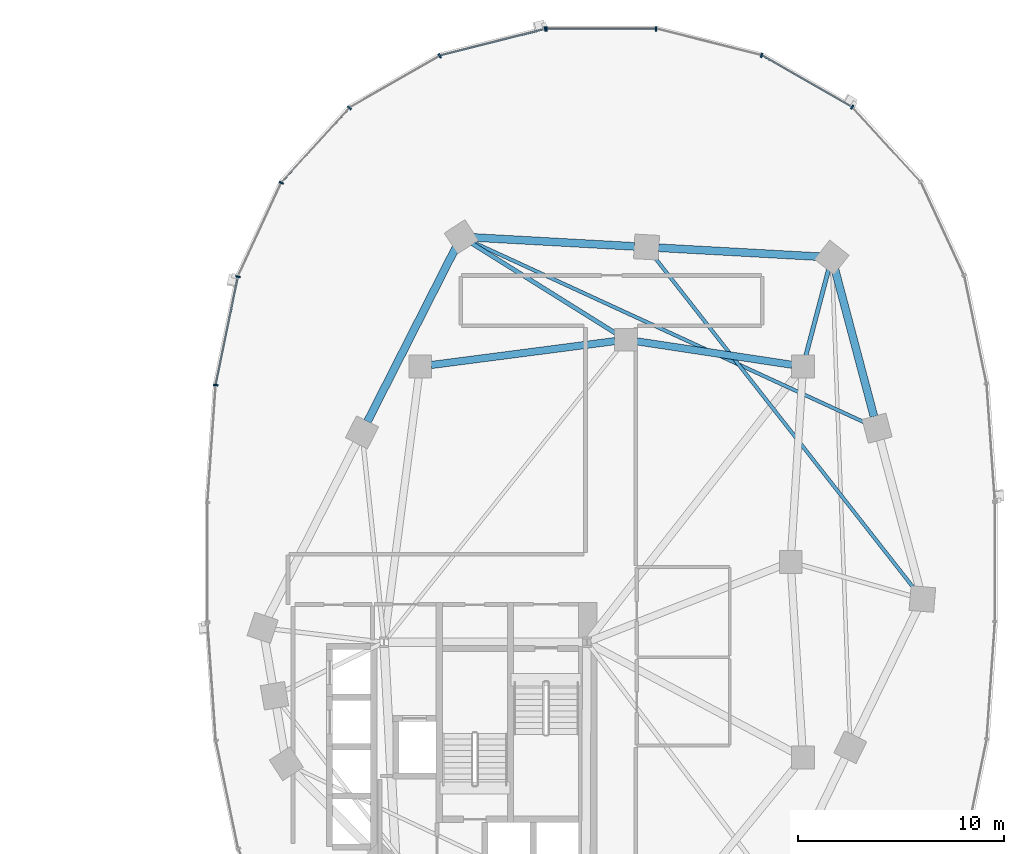
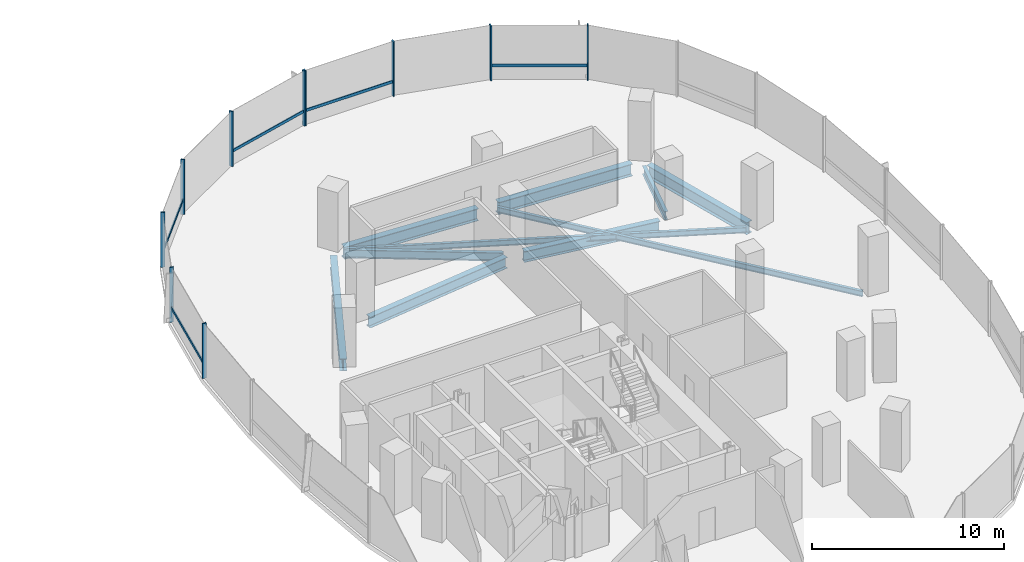
# One storey, part 7 of 21: 15 members, 10 beams, 2 elements without a shape of their own.
"""IFC4 building model written with IfcOpenShell, lengths in metres."""

from ifc_helpers import new_model, si_unit, direction, frame, origin, origin_2d, place, context, subcontext, project, spatial, rectangle, i_section, extrude, material, material_profile, profile_set, type_object, element, aggregate, save


model = new_model("IFC4")

# Units and contexts
model_context = context("Model", 3, precision=1e-05, world=origin(), true_north=direction((0.0, 1.0)))
body_context = subcontext(model_context, "Body", "Model", "MODEL_VIEW")
ifc_project = project(units=[si_unit("LENGTHUNIT", "METRE"), si_unit("AREAUNIT", "SQUARE_METRE"), si_unit("VOLUMEUNIT", "CUBIC_METRE"), si_unit("PLANEANGLEUNIT", "RADIAN"), si_unit("MASSUNIT", "GRAM", prefix="KILO"), si_unit("THERMODYNAMICTEMPERATUREUNIT", "KELVIN"), si_unit("POWERUNIT", "WATT")], contexts=[model_context])

# Site, building, storey
site_placement = place(None, origin())
site = spatial("IfcSite", under=ifc_project, at=site_placement, CompositionType="ELEMENT")
building_placement = place(site_placement, origin())
building = spatial("IfcBuilding", under=site, at=building_placement, Name="Cundina Bronze Exchange", CompositionType="ELEMENT")
storey_placement = place(building_placement, frame((0.0, 0.0, 69.60009765625)))
storey = spatial("IfcBuildingStorey", under=building, at=storey_placement, Name="L17", CompositionType="ELEMENT", Elevation=69.60009765625)

# Beams
ifc_material_1 = material(Name="Steel ASTM A992 Grade 50", Category="steel")
ifc_material_profile_1 = material_profile(ifc_material_1, i_section(OverallWidth=0.2099609375, OverallDepth=0.532958984375, WebThickness=0.01025390625, FlangeThickness=0.015625, FilletRadius=0.013916015625, at=origin_2d()), Name="W21X62", Category="steel")
ifc_profile_set_1 = profile_set([ifc_material_profile_1], Name="Steel ASTM A992 Grade 50")
beam_type_1 = type_object("IfcBeamType", Name="BM-FLR-W21B", PredefinedType="BEAM", material=ifc_profile_set_1)
beam_1_placement = place(storey_placement, frame((41.9375, 10.020263671875, -0.566650390625), z_axis=(0.255373327887, 0.966842522546, 0.0), x_axis=(-0.966842522546, 0.255373327887, 0.0)))
element("IfcBeam", 1, at=beam_1_placement, inside=storey, type_object=beam_type_1, Name="L17 Leg E Chordal Floor Beam 10", PredefinedType="BEAM", context=body_context, shape_type="SweptSolid", body=[
    extrude(i_section(OverallWidth=0.2099609375, OverallDepth=0.532958984375, WebThickness=0.01025390625, FlangeThickness=0.015625, FilletRadius=0.013916015625, at=origin_2d()), origin(), (0.0, 0.0, 1.0), 4.355712890625),
])
beam_2_placement = place(storey_placement, frame((32.743896484375, 11.085205078125, -0.566650390625), z_axis=(-0.848014812458, 0.529972525563, 0.0), x_axis=(-0.529972525563, -0.848014812458, 0.0)))
element("IfcBeam", 2, at=beam_2_placement, inside=storey, type_object=beam_type_1, Name="L17 Leg E Chordal Floor Beam 12", PredefinedType="BEAM", context=body_context, shape_type="SweptSolid", body=[
    extrude(i_section(OverallWidth=0.2099609375, OverallDepth=0.532958984375, WebThickness=0.01025390625, FlangeThickness=0.015625, FilletRadius=0.013916015625, at=origin_2d()), origin(), (0.0, 0.0, 1.0), 8.30810546875),
])
ifc_material_profile_2 = material_profile(ifc_material_1, i_section(OverallWidth=0.172119140625, OverallDepth=0.35791015625, WebThickness=0.0078125, FlangeThickness=0.01318359375, FilletRadius=0.010009765625, at=origin_2d()), Name="W14X38", Category="steel")
ifc_profile_set_2 = profile_set([ifc_material_profile_2], Name="Steel ASTM A992 Grade 50")
beam_type_2 = type_object("IfcBeamType", Name="BM-JST-W14", PredefinedType="JOIST", material=ifc_profile_set_2)
beam_3_placement = place(storey_placement, frame((47.2373046875, -1.337158203125, -0.47900390625), z_axis=(-0.616803089524, 0.787117493614, 0.0), x_axis=(-0.787117493614, -0.616803089524, 0.0)))
element("IfcBeam", 3, at=beam_3_placement, inside=storey, type_object=beam_type_2, Name="L17 Leg E Lobe Floor Joist 08-11", PredefinedType="JOIST", context=body_context, shape_type="SweptSolid", body=[
    extrude(i_section(OverallWidth=0.172119140625, OverallDepth=0.35791015625, WebThickness=0.0078125, FlangeThickness=0.01318359375, FilletRadius=0.010009765625, at=origin_2d()), origin(), (0.0, 0.0, 1.0), 20.548828125),
])
beam_4_placement = place(storey_placement, frame((44.865966796875, 6.745849609375, -0.47900390625), z_axis=(-0.908351511887, 0.418207521277, 0.0), x_axis=(-0.418207521277, -0.908351511887, 0.0)))
element("IfcBeam", 4, at=beam_4_placement, inside=storey, type_object=beam_type_2, Name="L17 Leg E Lobe Floor Joist 09-12", PredefinedType="JOIST", context=body_context, shape_type="SweptSolid", body=[
    extrude(i_section(OverallWidth=0.172119140625, OverallDepth=0.35791015625, WebThickness=0.0078125, FlangeThickness=0.01318359375, FilletRadius=0.010009765625, at=origin_2d()), origin(), (0.0, 0.0, 1.0), 21.062255859375),
])
ifc_material_profile_3 = material_profile(ifc_material_1, i_section(OverallWidth=0.35498046875, OverallDepth=0.695068359375, WebThickness=0.015380859375, FlangeThickness=0.02490234375, FilletRadius=0.01806640625, at=origin_2d()), Name="W27X146", Category="steel")
ifc_profile_set_3 = profile_set([ifc_material_profile_3], Name="Steel ASTM A992 Grade 50")
beam_type_3 = type_object("IfcBeamType", Name="BM-RING-W27", PredefinedType="USERDEFINED", material=ifc_profile_set_3)
beam_5_placement = place(storey_placement, frame((41.26806640625, 9.580322265625, -0.647705078125), z_axis=(-0.988767489563, 0.149461873341, 0.0), x_axis=(-0.149461873341, -0.988767489563, 0.0)))
element("IfcBeam", 5, at=beam_5_placement, inside=storey, type_object=beam_type_3, Name="L17 E Inner Structural Ring Girder 05", ObjectType="GIRDER", PredefinedType="USERDEFINED", context=body_context, shape_type="SweptSolid", body=[
    extrude(i_section(OverallWidth=0.35498046875, OverallDepth=0.695068359375, WebThickness=0.015380859375, FlangeThickness=0.02490234375, FilletRadius=0.01806640625, at=origin_2d()), origin(), (0.0, 0.0, 1.0), 7.621826171875),
])
beam_6_placement = place(storey_placement, frame((32.66650390625, 10.730712890625, -0.647705078125), z_axis=(-0.991654577907, -0.128923225666, 0.0), x_axis=(0.128923225666, -0.991654577907, 0.0)))
element("IfcBeam", 6, at=beam_6_placement, inside=storey, type_object=beam_type_3, Name="L17 E Inner Structural Ring Girder 06", ObjectType="GIRDER", PredefinedType="USERDEFINED", context=body_context, shape_type="SweptSolid", body=[
    extrude(i_section(OverallWidth=0.35498046875, OverallDepth=0.695068359375, WebThickness=0.015380859375, FlangeThickness=0.02490234375, FilletRadius=0.01806640625, at=origin_2d()), origin(), (0.0, 0.0, 1.0), 9.00830078125),
])
ifc_material_profile_4 = material_profile(ifc_material_1, i_section(OverallWidth=0.381103515625, OverallDepth=0.77294921875, WebThickness=0.0166015625, FlangeThickness=0.027099609375, FilletRadius=0.01904296875, at=origin_2d()), Name="W30X173", Category="steel")
ifc_profile_set_4 = profile_set([ifc_material_profile_4], Name="Steel ASTM A992 Grade 50")
beam_type_4 = type_object("IfcBeamType", Name="BM-RING-W30", PredefinedType="USERDEFINED", material=ifc_profile_set_4)
beam_7_placement = place(storey_placement, frame((45.249267578125, 7.068359375, -0.6865234375), z_axis=(-0.256208567826, 0.966621523541, 0.0), x_axis=(-0.966621523541, -0.256208567826, 0.0)))
element("IfcBeam", 7, at=beam_7_placement, inside=storey, type_object=beam_type_4, Name="L17 E Perimeter Ring Girder 09", ObjectType="GIRDER", PredefinedType="USERDEFINED", context=body_context, shape_type="SweptSolid", body=[
    extrude(i_section(OverallWidth=0.381103515625, OverallDepth=0.77294921875, WebThickness=0.0166015625, FlangeThickness=0.027099609375, FilletRadius=0.01904296875, at=origin_2d()), origin(), (0.0, 0.0, 1.0), 7.41064453125),
])
for number, where, z_axis, x_axis, name in (
    (8, (42.61279296875, 14.83251953125, -0.6865234375), (-0.998459969805, 0.055476920391, 0.0), (-0.055476920391, -0.998459969805, 0.0), "L17 E Perimeter Ring Girder 10"),
    (9, (33.61279296875, 15.33251953125, -0.6865234375), (-0.998459969805, 0.055476920391, 0.0), (-0.055476920391, -0.998459969805, 0.0), "L17 E Perimeter Ring Girder 11"),
):
    element("IfcBeam", number, at=place(storey_placement, frame(where, z_axis=z_axis, x_axis=x_axis)), inside=storey, type_object=beam_type_4, Name=name, ObjectType="GIRDER", PredefinedType="USERDEFINED", context=body_context, shape_type="SweptSolid", body=[
        extrude(i_section(OverallWidth=0.381103515625, OverallDepth=0.77294921875, WebThickness=0.0166015625, FlangeThickness=0.027099609375, FilletRadius=0.01904296875, at=origin_2d()), origin(), (0.0, 0.0, 1.0), 7.837646484375),
    ])
beam_8_placement = place(storey_placement, frame((24.93359375, 15.275634765625, -0.6865234375), z_axis=(-0.452819633606, -0.891602141889, 0.0), x_axis=(0.891602141889, -0.452819633606, 0.0)))
element("IfcBeam", 10, at=beam_8_placement, inside=storey, type_object=beam_type_4, Name="L17 E Perimeter Ring Girder 12", ObjectType="GIRDER", PredefinedType="USERDEFINED", context=body_context, shape_type="SweptSolid", body=[
    extrude(i_section(OverallWidth=0.381103515625, OverallDepth=0.77294921875, WebThickness=0.0166015625, FlangeThickness=0.027099609375, FilletRadius=0.01904296875, at=origin_2d()), origin(), (0.0, 0.0, 1.0), 9.47900390625),
])

# Curtain wall, members
ifc_material_2 = material(Name="Anodised Bronze Aluminium 6063-T6", Category="aluminium")
curtain_wall_type = type_object("IfcCurtainWallType", Name="CWS-TRD-LOW", PredefinedType="NOTDEFINED", material=ifc_material_2)
curtain_wall_1_placement = place(storey_placement, origin())
curtain_wall_1 = element("IfcCurtainWall", 11, at=curtain_wall_1_placement, inside=storey, type_object=curtain_wall_type, Name="L17 CW-02 Curtain Wall Run CWR-L17-E1", PredefinedType="NOTDEFINED")
ifc_material_profile_5 = material_profile(ifc_material_2, rectangle(XDim=0.074951171875, YDim=0.219970703125, at=origin_2d()), Name="AL75X220", Category="aluminium")
ifc_profile_set_5 = profile_set([ifc_material_profile_5], Name="Anodised Bronze Aluminium 6063-T6")
member_type_1 = type_object("IfcMemberType", Name="CWM-MUL-220", PredefinedType="MULLION", material=ifc_profile_set_5)
member_1_placement = place(storey_placement, frame((44.189697265625, 22.097412109375, 0.0), z_axis=(0.0, 0.0, 1.0), x_axis=(-0.867070701164, 0.498185105339, 0.0)))
member_1 = element("IfcMember", 12, at=member_1_placement, type_object=member_type_1, Name="CW-02 Mullion 5", PredefinedType="MULLION", context=body_context, shape_type="SweptSolid", body=[
    extrude(rectangle(XDim=0.074951171875, YDim=0.219970703125, at=origin_2d()), origin(), (0.0, 0.0, 1.0), 3.5),
])
member_2_placement = place(storey_placement, frame((39.78515625, 24.61669921875, 0.0), z_axis=(0.0, 0.0, 1.0), x_axis=(-0.969488149345, 0.245138182011, 0.0)))
member_2 = element("IfcMember", 13, at=member_2_placement, type_object=member_type_1, Name="CW-02 Mullion 6", PredefinedType="MULLION", context=body_context, shape_type="SweptSolid", body=[
    extrude(rectangle(XDim=0.074951171875, YDim=0.219970703125, at=origin_2d()), origin(), (0.0, 0.0, 1.0), 3.5),
])
member_3_placement = place(storey_placement, frame((34.654541015625, 25.905029296875, 0.0), z_axis=(0.0, 0.0, 1.0), x_axis=(-1.0, 0.0, 0.0)))
member_3 = element("IfcMember", 14, at=member_3_placement, type_object=member_type_1, Name="CW-02 Mullion 7", PredefinedType="MULLION", context=body_context, shape_type="SweptSolid", body=[
    extrude(rectangle(XDim=0.074951171875, YDim=0.219970703125, at=origin_2d()), origin(), (0.0, 0.0, 1.0), 3.5),
])
member_4_placement = place(storey_placement, frame((29.345458984375, 25.905029296875, 0.0), z_axis=(0.0, 0.0, 1.0), x_axis=(-1.0, 0.0, 0.0)))
member_4 = element("IfcMember", 15, at=member_4_placement, type_object=member_type_1, Name="CW-02 End Mullion", PredefinedType="MULLION", context=body_context, shape_type="SweptSolid", body=[
    extrude(rectangle(XDim=0.074951171875, YDim=0.219970703125, at=origin_2d()), origin(), (0.0, 0.0, 1.0), 3.5),
])

curtain_wall_2_placement = place(storey_placement, origin())
curtain_wall_2 = element("IfcCurtainWall", 16, at=curtain_wall_2_placement, inside=storey, type_object=curtain_wall_type, Name="L17 CW-02 Curtain Wall Run CWR-L17-E2", PredefinedType="NOTDEFINED")
member_5_placement = place(storey_placement, frame((29.27392578125, 25.89599609375, 0.0), z_axis=(0.0, 0.0, 1.0), x_axis=(-0.969488149345, -0.245138182011, 0.0)))
member_5 = element("IfcMember", 17, at=member_5_placement, type_object=member_type_1, Name="CW-02 Mullion 1", PredefinedType="MULLION", context=body_context, shape_type="SweptSolid", body=[
    extrude(rectangle(XDim=0.074951171875, YDim=0.219970703125, at=origin_2d()), origin(), (0.0, 0.0, 1.0), 3.5),
])
member_6_placement = place(storey_placement, frame((24.151123046875, 24.591064453125, 0.0), z_axis=(0.0, 0.0, 1.0), x_axis=(-0.867070701164, -0.498185105339, 0.0)))
member_6 = element("IfcMember", 18, at=member_6_placement, type_object=member_type_1, Name="CW-02 Mullion 2", PredefinedType="MULLION", context=body_context, shape_type="SweptSolid", body=[
    extrude(rectangle(XDim=0.074951171875, YDim=0.219970703125, at=origin_2d()), origin(), (0.0, 0.0, 1.0), 3.5),
])
member_7_placement = place(storey_placement, frame((19.760498046875, 22.0576171875, 0.0), z_axis=(0.0, 0.0, 1.0), x_axis=(-0.674302387584, -0.738455340626, 0.0)))
member_7 = element("IfcMember", 19, at=member_7_placement, type_object=member_type_1, Name="CW-02 Mullion 3", PredefinedType="MULLION", context=body_context, shape_type="SweptSolid", body=[
    extrude(rectangle(XDim=0.074951171875, YDim=0.219970703125, at=origin_2d()), origin(), (0.0, 0.0, 1.0), 3.5),
])
member_8_placement = place(storey_placement, frame((16.455810546875, 18.423583984375, 0.0), z_axis=(0.0, 0.0, 1.0), x_axis=(-0.42087749791, -0.907117485088, 0.0)))
member_8 = element("IfcMember", 20, at=member_8_placement, type_object=member_type_1, Name="CW-02 Mullion 4", PredefinedType="MULLION", context=body_context, shape_type="SweptSolid", body=[
    extrude(rectangle(XDim=0.074951171875, YDim=0.219970703125, at=origin_2d()), origin(), (0.0, 0.0, 1.0), 3.5),
])
member_9_placement = place(storey_placement, frame((14.348876953125, 13.861328125, 0.0), z_axis=(0.0, 0.0, 1.0), x_axis=(-0.201419845156, -0.979505000486, 0.0)))
member_9 = element("IfcMember", 21, at=member_9_placement, type_object=member_type_1, Name="CW-02 Mullion 5", PredefinedType="MULLION", context=body_context, shape_type="SweptSolid", body=[
    extrude(rectangle(XDim=0.074951171875, YDim=0.219970703125, at=origin_2d()), origin(), (0.0, 0.0, 1.0), 3.5),
])
member_10_placement = place(storey_placement, frame((13.27099609375, 8.591552734375, 0.0), z_axis=(0.0, 0.0, 1.0), x_axis=(-0.070278787473, -0.997527389113, 0.0)))
member_10 = element("IfcMember", 22, at=member_10_placement, type_object=member_type_1, Name="CW-02 Mullion 6", PredefinedType="MULLION", context=body_context, shape_type="SweptSolid", body=[
    extrude(rectangle(XDim=0.074951171875, YDim=0.219970703125, at=origin_2d()), origin(), (0.0, 0.0, 1.0), 3.5),
])

# Member
ifc_material_profile_6 = material_profile(ifc_material_2, rectangle(XDim=0.070068359375, YDim=0.179931640625, at=origin_2d()), Name="AL70X180", Category="aluminium")
ifc_profile_set_6 = profile_set([ifc_material_profile_6], Name="Anodised Bronze Aluminium 6063-T6")
member_type_2 = type_object("IfcMemberType", Name="CWM-TRN-180", PredefinedType="USERDEFINED", material=ifc_profile_set_6)
member_11_placement = place(storey_placement, frame((44.154052734375, 22.117919921875, 0.919921875), z_axis=(-0.867097475651, 0.498138502546, 0.0), x_axis=(-0.498138502546, -0.867097475651, 0.0)))
member_11 = element("IfcMember", 23, at=member_11_placement, type_object=member_type_2, Name="CW-02 Spandrel Transom 5", ObjectType="TRANSOM", PredefinedType="USERDEFINED", context=body_context, shape_type="SweptSolid", body=[
    extrude(rectangle(XDim=0.070068359375, YDim=0.179931640625, at=origin_2d()), origin(), (0.0, 0.0, 1.0), 5.00634765625),
])

member_12_placement = place(storey_placement, frame((34.61328125, 25.905029296875, 0.919921875), z_axis=(-1.0, 0.0, 0.0), x_axis=(0.0, -1.0, 0.0)))
member_12 = element("IfcMember", 24, at=member_12_placement, type_object=member_type_2, Name="CW-02 Spandrel Transom 7", ObjectType="TRANSOM", PredefinedType="USERDEFINED", context=body_context, shape_type="SweptSolid", body=[
    extrude(rectangle(XDim=0.070068359375, YDim=0.179931640625, at=origin_2d()), origin(), (0.0, 0.0, 1.0), 5.2265625),
])

aggregate(curtain_wall_1, [member_1, member_11, member_2, member_3, member_4, member_12])

member_13_placement = place(storey_placement, frame((29.23388671875, 25.885986328125, 0.919921875), z_axis=(-0.969483968866, -0.245154714644, 0.0), x_axis=(0.245154714644, -0.969483968866, 0.0)))
member_13 = element("IfcMember", 25, at=member_13_placement, type_object=member_type_2, Name="CW-02 Spandrel Transom 1", ObjectType="TRANSOM", PredefinedType="USERDEFINED", context=body_context, shape_type="SweptSolid", body=[
    extrude(rectangle(XDim=0.070068359375, YDim=0.179931640625, at=origin_2d()), origin(), (0.0, 0.0, 1.0), 5.21826171875),
])

member_14_placement = place(storey_placement, frame((19.73291015625, 22.027099609375, 0.919921875), z_axis=(-0.674302794847, -0.738454968743, 0.0), x_axis=(0.738454968743, -0.674302794847, 0.0)))
member_14 = element("IfcMember", 26, at=member_14_placement, type_object=member_type_2, Name="CW-02 Spandrel Transom 3", ObjectType="TRANSOM", PredefinedType="USERDEFINED", context=body_context, shape_type="SweptSolid", body=[
    extrude(rectangle(XDim=0.070068359375, YDim=0.179931640625, at=origin_2d()), origin(), (0.0, 0.0, 1.0), 4.848388671875),
])

member_15_placement = place(storey_placement, frame((14.340576171875, 13.821044921875, 0.919921875), z_axis=(-0.201427712708, -0.979503382615, 0.0), x_axis=(0.979503382615, -0.201427712708, 0.0)))
member_15 = element("IfcMember", 27, at=member_15_placement, type_object=member_type_2, Name="CW-02 Spandrel Transom 5", ObjectType="TRANSOM", PredefinedType="USERDEFINED", context=body_context, shape_type="SweptSolid", body=[
    extrude(rectangle(XDim=0.070068359375, YDim=0.179931640625, at=origin_2d()), origin(), (0.0, 0.0, 1.0), 5.291748046875),
])

aggregate(curtain_wall_2, [member_5, member_13, member_6, member_7, member_14, member_8, member_9, member_15, member_10])

save(model, "model.ifc")
